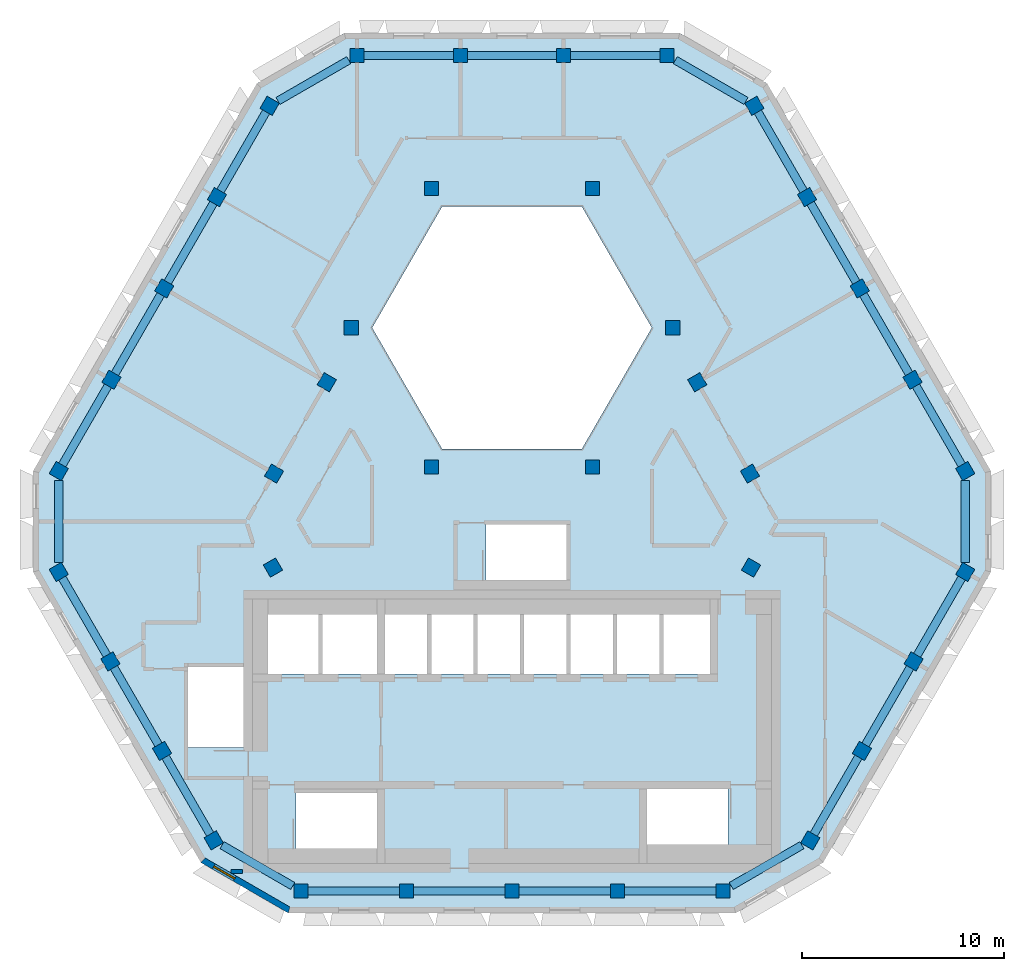
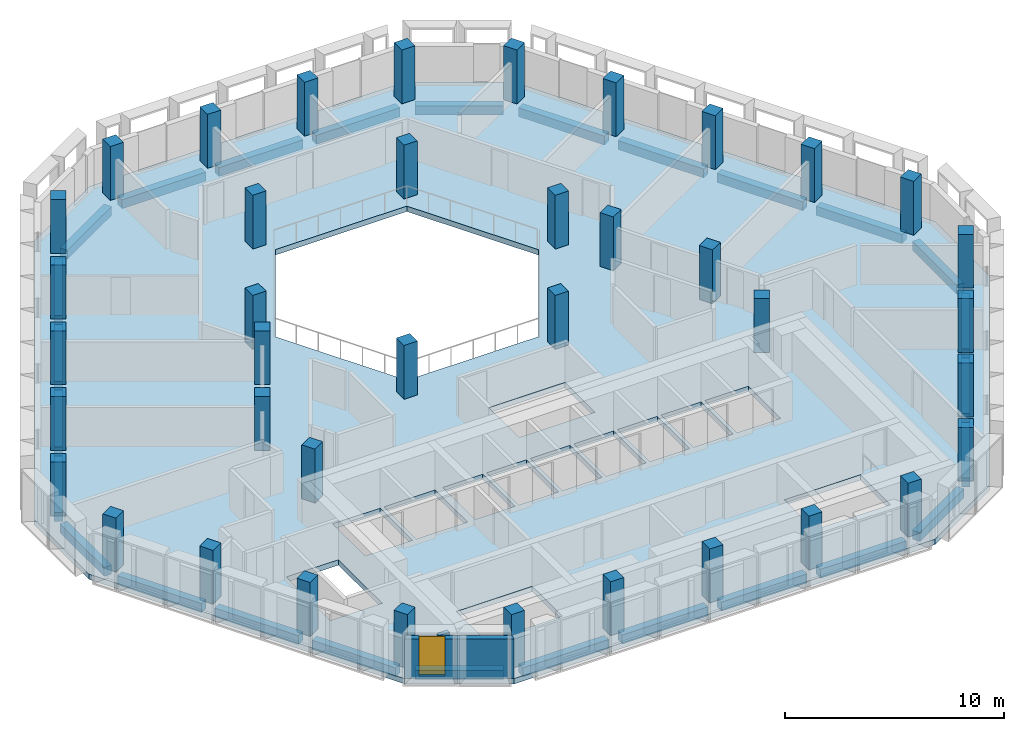
# One storey, part 1 of 7: 39 columns, 27 beams, 2 walls, 1 slab, 1 window, 1 opening.
"""IFC4 building model written with IfcOpenShell, lengths in metres."""

from ifc_helpers import new_model, si_unit, direction, frame, frame_2d, origin, origin_2d, place, context, subcontext, project, spatial, polyline, rectangle, outline, extrude, material, layer, layer_set, material_profile, profile_set, type_object, element, fill, save


model = new_model("IFC4")

# Units and contexts
model_context = context("Model", 3, precision=1e-05, world=origin(), true_north=direction((0.0, 1.0)))
body_context = subcontext(model_context, "Body", "Model", "MODEL_VIEW")
ifc_project = project(units=[si_unit("LENGTHUNIT", "METRE"), si_unit("AREAUNIT", "SQUARE_METRE"), si_unit("VOLUMEUNIT", "CUBIC_METRE"), si_unit("PLANEANGLEUNIT", "RADIAN"), si_unit("MASSUNIT", "GRAM", prefix="KILO")], contexts=[model_context])

# Site, building, storey
site_placement = place(None, origin())
site = spatial("IfcSite", under=ifc_project, at=site_placement, CompositionType="ELEMENT")
building_placement = place(site_placement, origin())
building = spatial("IfcBuilding", under=site, at=building_placement, Name="Beryl Residences", CompositionType="ELEMENT")
storey_placement = place(building_placement, frame((0.0, 0.0, 241.800048828125)))
storey = spatial("IfcBuildingStorey", under=building, at=storey_placement, Name="L75", CompositionType="ELEMENT", Elevation=241.800048828125)

# Columns
ifc_material_1 = material(Name="Concrete C50/60", Category="concrete")
ifc_material_profile_1 = material_profile(ifc_material_1, rectangle(XDim=0.699951171875, YDim=0.699951171875, at=origin_2d()))
ifc_profile_set_1 = profile_set([ifc_material_profile_1], Name="Concrete C50/60")
column_type_1 = type_object("IfcColumnType", Name="C5 tube column 700 x 700 C50/60", PredefinedType="COLUMN", material=ifc_profile_set_1)
for number, where, z_axis, x_axis, name in (
    (1, (7.678955078125, 21.5, 0.0), (0.0, 0.0, 1.0), (-1.0, 0.0, 0.0), "C5-N1 L75"),
    (2, (2.56005859375, 21.5, 0.0), (0.0, 0.0, 1.0), (-1.0, 0.0, 0.0), "C5-N2 L75"),
    (3, (-2.55908203125, 21.5, 0.0), (0.0, 0.0, 1.0), (-1.0, 0.0, 0.0), "C5-N3 L75"),
    (4, (-7.677978515625, 21.5, 0.0), (0.0, 0.0, 1.0), (-1.0, 0.0, 0.0), "C5-N4 L75"),
    (5, (-12.009033203125, 19.0, 0.0), (0.0, 0.0, 1.0), (-0.499969769706, -0.866042856549, 0.0), "C5-NW1 L75"),
    (6, (-14.62109375, 14.47509765625, 0.0), (0.0, 0.0, 1.0), (-0.499969769706, -0.866042856549, 0.0), "C5-NW2 L75"),
    (7, (-17.23291015625, 9.949951171875, 0.0), (0.0, 0.0, 1.0), (-0.499969769706, -0.866042856549, 0.0), "C5-NW3 L75"),
    (8, (-19.845947265625, 5.425048828125, 0.0), (0.0, 0.0, 1.0), (-0.499969769706, -0.866042856549, 0.0), "C5-NW4 L75"),
    (9, (-22.4580078125, 0.89990234375, 0.0), (0.0, 0.0, 1.0), (-0.499969769706, -0.866042856549, 0.0), "C5-NW5 L75"),
    (10, (-22.458984375, -4.10009765625, 0.0), (0.0, 0.0, 1.0), (0.499984884929, -0.866034130299, 0.0), "C5-SW1 L75"),
    (11, (-19.89892578125, -8.532958984375, 0.0), (0.0, 0.0, 1.0), (0.499984884929, -0.866034130299, 0.0), "C5-SW2 L75"),
    (12, (-17.340087890625, -12.966064453125, 0.0), (0.0, 0.0, 1.0), (0.499984884929, -0.866034130299, 0.0), "C5-SW3 L75"),
    (13, (-14.781005859375, -17.39892578125, 0.0), (0.0, 0.0, 1.0), (0.499984884929, -0.866034130299, 0.0), "C5-SW4 L75"),
    (14, (-10.449951171875, -19.89990234375, 0.0), (0.0, 0.0, 1.0), (1.0, 0.0, 0.0), "C5-S1 L75"),
    (15, (-5.22509765625, -19.89990234375, 0.0), (0.0, 0.0, 1.0), (1.0, 0.0, 0.0), "C5-S2 L75"),
    (16, (0.0, -19.89990234375, 0.0), (0.0, 0.0, 1.0), (1.0, 0.0, 0.0), "C5-S3 L75"),
    (17, (5.22509765625, -19.89990234375, 0.0), (0.0, 0.0, 1.0), (1.0, 0.0, 0.0), "C5-S4 L75"),
    (18, (10.449951171875, -19.89990234375, 0.0), (0.0, 0.0, 1.0), (1.0, 0.0, 0.0), "C5-S5 L75"),
    (19, (14.780029296875, -17.39990234375, 0.0), (0.0, 0.0, 1.0), (0.499984884929, 0.866034130299, 0.0), "C5-SE1 L75"),
    (20, (17.339111328125, -12.967041015625, 0.0), (0.0, 0.0, 1.0), (0.499984884929, 0.866034130299, 0.0), "C5-SE2 L75"),
    (21, (19.89892578125, -8.533935546875, 0.0), (0.0, 0.0, 1.0), (0.499984884929, 0.866034130299, 0.0), "C5-SE3 L75"),
    (22, (22.4580078125, -4.10107421875, 0.0), (0.0, 0.0, 1.0), (0.499984884929, 0.866034130299, 0.0), "C5-SE4 L75"),
    (23, (22.4580078125, 0.89990234375, 0.0), (0.0, 0.0, 1.0), (-0.499969769706, 0.866042856549, 0.0), "C5-NE1 L75"),
    (24, (19.845947265625, 5.425048828125, 0.0), (0.0, 0.0, 1.0), (-0.499969769706, 0.866042856549, 0.0), "C5-NE2 L75"),
    (25, (17.23291015625, 9.949951171875, 0.0), (0.0, 0.0, 1.0), (-0.499969769706, 0.866042856549, 0.0), "C5-NE3 L75"),
    (26, (14.62109375, 14.47509765625, 0.0), (0.0, 0.0, 1.0), (-0.499969769706, 0.866042856549, 0.0), "C5-NE4 L75"),
    (27, (12.009033203125, 19.0, 0.0), (0.0, 0.0, 1.0), (-0.499969769706, 0.866042856549, 0.0), "C5-NE5 L75"),
):
    element("IfcColumn", number, at=place(storey_placement, frame(where, z_axis=z_axis, x_axis=x_axis)), inside=storey, type_object=column_type_1, Name=name, PredefinedType="COLUMN", context=body_context, shape_type="SweptSolid", body=[
        extrude(rectangle(XDim=0.699951171875, YDim=0.699951171875, at=origin_2d()), origin(), (0.0, 0.0, 1.0), 3.0),
    ])
ifc_material_2 = material(Name="Concrete C50/60", Category="concrete")
ifc_material_profile_2 = material_profile(ifc_material_2, rectangle(XDim=0.699951171875, YDim=0.699951171875, at=origin_2d()))
ifc_profile_set_2 = profile_set([ifc_material_profile_2], Name="Concrete C50/60")
column_type_2 = type_object("IfcColumnType", Name="IC5 interior column 700 x 700 C50/60", PredefinedType="COLUMN", material=ifc_profile_set_2)
for number, where, z_axis, x_axis, name in (
    (28, (-11.844970703125, -3.883056640625, 0.0), (0.0, 0.0, 1.0), (0.499984884929, -0.866034130299, 0.0), "IC5-M01 L75"),
    (29, (11.844970703125, -3.884033203125, 0.0), (0.0, 0.0, 1.0), (0.499984884929, 0.866034130299, 0.0), "IC5-M02 L75"),
    (30, (11.7919921875, 0.77490234375, 0.0), (0.0, 0.0, 1.0), (-0.499969769706, 0.866042856549, 0.0), "IC5-M03 L75"),
    (31, (3.98388671875, 1.10009765625, 0.0), (0.0, 0.0, 1.0), (1.0, 0.0, 0.0), "IC5-A04 L75"),
    (32, (9.178955078125, 5.300048828125, 0.0), (0.0, 0.0, 1.0), (-0.499969769706, 0.866042856549, 0.0), "IC5-M05 L75"),
    (33, (7.967041015625, 8.0, 0.0), (0.0, 0.0, 1.0), (1.0, 0.0, 0.0), "IC5-A06 L75"),
    (34, (3.98388671875, 14.89990234375, 0.0), (0.0, 0.0, 1.0), (1.0, 0.0, 0.0), "IC5-A07 L75"),
    (35, (-3.98388671875, 14.89990234375, 0.0), (0.0, 0.0, 1.0), (1.0, 0.0, 0.0), "IC5-A08 L75"),
    (36, (-7.967041015625, 8.0, 0.0), (0.0, 0.0, 1.0), (1.0, 0.0, 0.0), "IC5-A09 L75"),
    (37, (-9.178955078125, 5.300048828125, 0.0), (0.0, 0.0, 1.0), (-0.499969769706, -0.866042856549, 0.0), "IC5-M10 L75"),
    (38, (-3.98388671875, 1.10009765625, 0.0), (0.0, 0.0, 1.0), (1.0, 0.0, 0.0), "IC5-A11 L75"),
    (39, (-11.7919921875, 0.77490234375, 0.0), (0.0, 0.0, 1.0), (-0.499969769706, -0.866042856549, 0.0), "IC5-M12 L75"),
):
    element("IfcColumn", number, at=place(storey_placement, frame(where, z_axis=z_axis, x_axis=x_axis)), inside=storey, type_object=column_type_2, Name=name, PredefinedType="COLUMN", context=body_context, shape_type="SweptSolid", body=[
        extrude(rectangle(XDim=0.699951171875, YDim=0.699951171875, at=origin_2d()), origin(), (0.0, 0.0, 1.0), 3.0),
    ])

# Beams
ifc_material_3 = material(Name="Concrete C50/60", Category="concrete")
ifc_material_profile_3 = material_profile(ifc_material_3, rectangle(XDim=0.39990234375, YDim=0.5, at=origin_2d()))
ifc_profile_set_3 = profile_set([ifc_material_profile_3], Name="Concrete C50/60")
beam_type = type_object("IfcBeamType", Name="SB5 spandrel beam 400 x 500 C50/60", PredefinedType="SPANDREL", material=ifc_profile_set_3)
beam_1_placement = place(storey_placement, frame((7.3291015625, 21.5, -0.550048828125), z_axis=(-1.0, 0.0, 0.0), x_axis=(0.0, -1.0, 0.0)))
element("IfcBeam", 40, at=beam_1_placement, inside=storey, type_object=beam_type, Name="SB5 L75 N-0", PredefinedType="SPANDREL", context=body_context, shape_type="SweptSolid", body=[
    extrude(rectangle(XDim=0.39990234375, YDim=0.5, at=origin_2d()), origin(), (0.0, 0.0, 1.0), 4.419189453125),
])
for number, where, z_axis, x_axis, name in (
    (41, (2.2099609375, 21.5, -0.550048828125), (-1.0, 0.0, 0.0), (0.0, -1.0, 0.0), "SB5 L75 N-1"),
    (42, (-2.908935546875, 21.5, -0.550048828125), (-1.0, 0.0, 0.0), (0.0, -1.0, 0.0), "SB5 L75 N-2"),
):
    element("IfcBeam", number, at=place(storey_placement, frame(where, z_axis=z_axis, x_axis=x_axis)), inside=storey, type_object=beam_type, Name=name, PredefinedType="SPANDREL", context=body_context, shape_type="SweptSolid", body=[
        extrude(rectangle(XDim=0.39990234375, YDim=0.5, at=origin_2d()), origin(), (0.0, 0.0, 1.0), 4.4189453125),
    ])
beam_2_placement = place(storey_placement, frame((-8.092041015625, 21.260986328125, -0.550048828125), z_axis=(-0.866073013527, -0.499917528438, 0.0), x_axis=(0.499917528438, -0.866073013527, 0.0)))
element("IfcBeam", 43, at=beam_2_placement, inside=storey, type_object=beam_type, Name="SB5 L75 N-3", PredefinedType="SPANDREL", context=body_context, shape_type="SweptSolid", body=[
    extrude(rectangle(XDim=0.39990234375, YDim=0.5, at=origin_2d()), origin(), (0.0, 0.0, 1.0), 4.044677734375),
])
beam_3_placement = place(storey_placement, frame((-12.18408203125, 18.697021484375, -0.550048828125), z_axis=(-0.499893710643, -0.866086761277, 0.0), x_axis=(0.866086761277, -0.499893710643, 0.0)))
element("IfcBeam", 44, at=beam_3_placement, inside=storey, type_object=beam_type, Name="SB5 L75 NW-0", PredefinedType="SPANDREL", context=body_context, shape_type="SweptSolid", body=[
    extrude(rectangle(XDim=0.39990234375, YDim=0.5, at=origin_2d()), origin(), (0.0, 0.0, 1.0), 4.52490234375),
])
beam_4_placement = place(storey_placement, frame((-14.7958984375, 14.172119140625, -0.550048828125), z_axis=(-0.499910821401, -0.866076884951, 0.0), x_axis=(0.866076884951, -0.499910821401, 0.0)))
element("IfcBeam", 45, at=beam_4_placement, inside=storey, type_object=beam_type, Name="SB5 L75 NW-1", PredefinedType="SPANDREL", context=body_context, shape_type="SweptSolid", body=[
    extrude(rectangle(XDim=0.39990234375, YDim=0.5, at=origin_2d()), origin(), (0.0, 0.0, 1.0), 4.525146484375),
])
beam_5_placement = place(storey_placement, frame((-17.407958984375, 9.64697265625, -0.550048828125), z_axis=(-0.500055572588, -0.865993316558, 0.0), x_axis=(0.865993316558, -0.500055572588, 0.0)))
element("IfcBeam", 46, at=beam_5_placement, inside=storey, type_object=beam_type, Name="SB5 L75 NW-2", PredefinedType="SPANDREL", context=body_context, shape_type="SweptSolid", body=[
    extrude(rectangle(XDim=0.39990234375, YDim=0.5, at=origin_2d()), origin(), (0.0, 0.0, 1.0), 4.525390625),
])
beam_6_placement = place(storey_placement, frame((-20.02099609375, 5.1220703125, -0.550048828125), z_axis=(-0.499870351634, -0.866100243365, 0.0), x_axis=(0.866100243365, -0.499870351634, 0.0)))
element("IfcBeam", 47, at=beam_6_placement, inside=storey, type_object=beam_type, Name="SB5 L75 NW-3", PredefinedType="SPANDREL", context=body_context, shape_type="SweptSolid", body=[
    extrude(rectangle(XDim=0.39990234375, YDim=0.5, at=origin_2d()), origin(), (0.0, 0.0, 1.0), 4.525146484375),
])
beam_7_placement = place(storey_placement, frame((-22.4580078125, 0.422119140625, -0.550048828125), z_axis=(-0.000241472978, -0.999999970845, 0.0), x_axis=(0.999999970845, -0.000241472978, 0.0)))
element("IfcBeam", 48, at=beam_7_placement, inside=storey, type_object=beam_type, Name="SB5 L75 NW-4", PredefinedType="SPANDREL", context=body_context, shape_type="SweptSolid", body=[
    extrude(rectangle(XDim=0.39990234375, YDim=0.5, at=origin_2d()), origin(), (0.0, 0.0, 1.0), 4.044189453125),
])
beam_8_placement = place(storey_placement, frame((-22.283935546875, -4.403076171875, -0.550048828125), z_axis=(0.500084296963, -0.86597672944, 0.0), x_axis=(0.86597672944, 0.500084296963, 0.0)))
element("IfcBeam", 49, at=beam_8_placement, inside=storey, type_object=beam_type, Name="SB5 L75 SW-0", PredefinedType="SPANDREL", context=body_context, shape_type="SweptSolid", body=[
    extrude(rectangle(XDim=0.39990234375, YDim=0.5, at=origin_2d()), origin(), (0.0, 0.0, 1.0), 4.419189453125),
])
beam_9_placement = place(storey_placement, frame((-19.72412109375, -8.8359375, -0.550048828125), z_axis=(0.49993607075, -0.866062310208, 0.0), x_axis=(0.866062310208, 0.49993607075, 0.0)))
element("IfcBeam", 50, at=beam_9_placement, inside=storey, type_object=beam_type, Name="SB5 L75 SW-1", PredefinedType="SPANDREL", context=body_context, shape_type="SweptSolid", body=[
    extrude(rectangle(XDim=0.39990234375, YDim=0.5, at=origin_2d()), origin(), (0.0, 0.0, 1.0), 4.4189453125),
])
beam_10_placement = place(storey_placement, frame((-17.1650390625, -13.26904296875, -0.550048828125), z_axis=(0.499918550948, -0.86607242331, 0.0), x_axis=(0.86607242331, 0.499918550948, 0.0)))
element("IfcBeam", 51, at=beam_10_placement, inside=storey, type_object=beam_type, Name="SB5 L75 SW-2", PredefinedType="SPANDREL", context=body_context, shape_type="SweptSolid", body=[
    extrude(rectangle(XDim=0.39990234375, YDim=0.5, at=origin_2d()), origin(), (0.0, 0.0, 1.0), 4.418701171875),
])
beam_11_placement = place(storey_placement, frame((-14.366943359375, -17.637939453125, -0.550048828125), z_axis=(0.865968468779, -0.500098601359, 0.0), x_axis=(0.500098601359, 0.865968468779, 0.0)))
element("IfcBeam", 52, at=beam_11_placement, inside=storey, type_object=beam_type, Name="SB5 L75 SW-3", PredefinedType="SPANDREL", context=body_context, shape_type="SweptSolid", body=[
    extrude(rectangle(XDim=0.39990234375, YDim=0.5, at=origin_2d()), origin(), (0.0, 0.0, 1.0), 4.045166015625),
])
beam_12_placement = place(storey_placement, frame((-10.10009765625, -19.89990234375, -0.550048828125), z_axis=(1.0, 0.0, 0.0), x_axis=(0.0, 1.0, 0.0)))
element("IfcBeam", 53, at=beam_12_placement, inside=storey, type_object=beam_type, Name="SB5 L75 S-0", PredefinedType="SPANDREL", context=body_context, shape_type="SweptSolid", body=[
    extrude(rectangle(XDim=0.39990234375, YDim=0.5, at=origin_2d()), origin(), (0.0, 0.0, 1.0), 4.525146484375),
])
for number, where, z_axis, x_axis, name in (
    (54, (-4.875, -19.89990234375, -0.550048828125), (1.0, 0.0, 0.0), (0.0, 1.0, 0.0), "SB5 L75 S-1"),
    (55, (0.35009765625, -19.89990234375, -0.550048828125), (1.0, 0.0, 0.0), (0.0, 1.0, 0.0), "SB5 L75 S-2"),
):
    element("IfcBeam", number, at=place(storey_placement, frame(where, z_axis=z_axis, x_axis=x_axis)), inside=storey, type_object=beam_type, Name=name, PredefinedType="SPANDREL", context=body_context, shape_type="SweptSolid", body=[
        extrude(rectangle(XDim=0.39990234375, YDim=0.5, at=origin_2d()), origin(), (0.0, 0.0, 1.0), 4.52490234375),
    ])
beam_13_placement = place(storey_placement, frame((5.574951171875, -19.89990234375, -0.550048828125), z_axis=(1.0, 0.0, 0.0), x_axis=(0.0, 1.0, 0.0)))
element("IfcBeam", 56, at=beam_13_placement, inside=storey, type_object=beam_type, Name="SB5 L75 S-3", PredefinedType="SPANDREL", context=body_context, shape_type="SweptSolid", body=[
    extrude(rectangle(XDim=0.39990234375, YDim=0.5, at=origin_2d()), origin(), (0.0, 0.0, 1.0), 4.525146484375),
])
beam_14_placement = place(storey_placement, frame((10.864013671875, -19.660888671875, -0.550048828125), z_axis=(0.866012652573, 0.500022085096, 0.0), x_axis=(-0.500022085096, 0.866012652573, 0.0)))
element("IfcBeam", 57, at=beam_14_placement, inside=storey, type_object=beam_type, Name="SB5 L75 S-4", PredefinedType="SPANDREL", context=body_context, shape_type="SweptSolid", body=[
    extrude(rectangle(XDim=0.39990234375, YDim=0.5, at=origin_2d()), origin(), (0.0, 0.0, 1.0), 4.043701171875),
])
beam_15_placement = place(storey_placement, frame((14.955078125, -17.096923828125, -0.550048828125), z_axis=(0.499918550948, 0.86607242331, 0.0), x_axis=(-0.86607242331, 0.499918550948, 0.0)))
element("IfcBeam", 58, at=beam_15_placement, inside=storey, type_object=beam_type, Name="SB5 L75 SE-0", PredefinedType="SPANDREL", context=body_context, shape_type="SweptSolid", body=[
    extrude(rectangle(XDim=0.39990234375, YDim=0.5, at=origin_2d()), origin(), (0.0, 0.0, 1.0), 4.418701171875),
])
beam_16_placement = place(storey_placement, frame((17.513916015625, -12.6640625, -0.550048828125), z_axis=(0.500101800387, 0.865966621326, 0.0), x_axis=(-0.865966621326, 0.500101800387, 0.0)))
element("IfcBeam", 59, at=beam_16_placement, inside=storey, type_object=beam_type, Name="SB5 L75 SE-1", PredefinedType="SPANDREL", context=body_context, shape_type="SweptSolid", body=[
    extrude(rectangle(XDim=0.39990234375, YDim=0.5, at=origin_2d()), origin(), (0.0, 0.0, 1.0), 4.41943359375),
])
beam_17_placement = place(storey_placement, frame((20.073974609375, -8.23095703125, -0.550048828125), z_axis=(0.499918550948, 0.86607242331, 0.0), x_axis=(-0.86607242331, 0.499918550948, 0.0)))
element("IfcBeam", 60, at=beam_17_placement, inside=storey, type_object=beam_type, Name="SB5 L75 SE-2", PredefinedType="SPANDREL", context=body_context, shape_type="SweptSolid", body=[
    extrude(rectangle(XDim=0.39990234375, YDim=0.5, at=origin_2d()), origin(), (0.0, 0.0, 1.0), 4.418701171875),
])
beam_18_placement = place(storey_placement, frame((22.4580078125, -3.623046875, -0.550048828125), z_axis=(0.0, 1.0, 0.0), x_axis=(-1.0, 0.0, 0.0)))
element("IfcBeam", 61, at=beam_18_placement, inside=storey, type_object=beam_type, Name="SB5 L75 SE-3", PredefinedType="SPANDREL", context=body_context, shape_type="SweptSolid", body=[
    extrude(rectangle(XDim=0.39990234375, YDim=0.5, at=origin_2d()), origin(), (0.0, 0.0, 1.0), 4.045166015625),
])
beam_19_placement = place(storey_placement, frame((22.282958984375, 1.202880859375, -0.550048828125), z_axis=(-0.499870351634, 0.866100243365, 0.0), x_axis=(-0.866100243365, -0.499870351634, 0.0)))
element("IfcBeam", 62, at=beam_19_placement, inside=storey, type_object=beam_type, Name="SB5 L75 NE-0", PredefinedType="SPANDREL", context=body_context, shape_type="SweptSolid", body=[
    extrude(rectangle(XDim=0.39990234375, YDim=0.5, at=origin_2d()), origin(), (0.0, 0.0, 1.0), 4.525146484375),
])
beam_20_placement = place(storey_placement, frame((19.6708984375, 5.72802734375, -0.550048828125), z_axis=(-0.500055572588, 0.865993316558, 0.0), x_axis=(-0.865993316558, -0.500055572588, 0.0)))
element("IfcBeam", 63, at=beam_20_placement, inside=storey, type_object=beam_type, Name="SB5 L75 NE-1", PredefinedType="SPANDREL", context=body_context, shape_type="SweptSolid", body=[
    extrude(rectangle(XDim=0.39990234375, YDim=0.5, at=origin_2d()), origin(), (0.0, 0.0, 1.0), 4.525390625),
])
beam_21_placement = place(storey_placement, frame((17.05810546875, 10.2529296875, -0.550048828125), z_axis=(-0.499910821401, 0.866076884951, 0.0), x_axis=(-0.866076884951, -0.499910821401, 0.0)))
element("IfcBeam", 64, at=beam_21_placement, inside=storey, type_object=beam_type, Name="SB5 L75 NE-2", PredefinedType="SPANDREL", context=body_context, shape_type="SweptSolid", body=[
    extrude(rectangle(XDim=0.39990234375, YDim=0.5, at=origin_2d()), origin(), (0.0, 0.0, 1.0), 4.525146484375),
])
beam_22_placement = place(storey_placement, frame((14.446044921875, 14.778076171875, -0.550048828125), z_axis=(-0.499893710643, 0.866086761277, 0.0), x_axis=(-0.866086761277, -0.499893710643, 0.0)))
element("IfcBeam", 65, at=beam_22_placement, inside=storey, type_object=beam_type, Name="SB5 L75 NE-3", PredefinedType="SPANDREL", context=body_context, shape_type="SweptSolid", body=[
    extrude(rectangle(XDim=0.39990234375, YDim=0.5, at=origin_2d()), origin(), (0.0, 0.0, 1.0), 4.52490234375),
])
beam_23_placement = place(storey_placement, frame((11.594970703125, 19.239013671875, -0.550048828125), z_axis=(-0.866012652573, 0.500022085096, 0.0), x_axis=(-0.500022085096, -0.866012652573, 0.0)))
element("IfcBeam", 66, at=beam_23_placement, inside=storey, type_object=beam_type, Name="SB5 L75 NE-4", PredefinedType="SPANDREL", context=body_context, shape_type="SweptSolid", body=[
    extrude(rectangle(XDim=0.39990234375, YDim=0.5, at=origin_2d()), origin(), (0.0, 0.0, 1.0), 4.043701171875),
])

# Slab
ifc_material_4 = material(Name="Concrete C40/50", Category="concrete")
ifc_layer_1 = layer(ifc_material_4, 0.300048828125)
ifc_layer_set_1 = layer_set([ifc_layer_1], Name="SL7 PT floor slab 300 mm C40/50")
slab_type = type_object("IfcSlabType", Name="SL7 PT floor slab 300 mm C40/50", PredefinedType="FLOOR", material=ifc_layer_set_1)
slab_placement = place(storey_placement, frame((0.0, 0.0, -0.300048828125)))
element("IfcSlab", 67, at=slab_placement, inside=storey, type_object=slab_type, Name="L75 slab 1", PredefinedType="FLOOR", context=body_context, shape_type="SweptSolid", body=[
    extrude(outline(polyline([(23.72900390625, -4.10009765625), (15.4150390625, -18.5), (11.0849609375, -21.0), (-11.0849609375, -21.0), (-15.4150390625, -18.5), (-23.72900390625, -4.10009765625), (-23.72900390625, 0.89990234375), (-12.64404296875, 20.10009765625), (-8.31396484375, 22.60009765625), (8.31396484375, 22.60009765625), (12.64404296875, 20.10009765625), (23.72900390625, 0.89990234375), (23.72900390625, -4.10009765625)]), holes=[polyline([(21.97998046875, 1.028076171875), (22.330078125, 0.422119140625), (22.93603515625, 0.77197265625), (22.5859375, 1.3779296875), (21.97998046875, 1.028076171875)]), polyline([(21.97998046875, -4.22900390625), (22.5859375, -4.5791015625), (22.93603515625, -3.972900390625), (22.330078125, -3.623046875), (21.97998046875, -4.22900390625)]), polyline([(19.77099609375, -8.055908203125), (19.4208984375, -8.662109375), (20.027099609375, -9.011962890625), (20.376953125, -8.406005859375), (19.77099609375, -8.055908203125)]), polyline([(19.367919921875, 5.552978515625), (19.718017578125, 4.947021484375), (20.323974609375, 5.297119140625), (19.97412109375, 5.903076171875), (19.367919921875, 5.552978515625)]), polyline([(17.2109375, -12.489013671875), (16.861083984375, -13.094970703125), (17.467041015625, -13.445068359375), (17.81689453125, -12.839111328125), (17.2109375, -12.489013671875)]), polyline([(17.361083984375, 10.427978515625), (16.7548828125, 10.077880859375), (17.10498046875, 9.471923828125), (17.7109375, 9.822021484375), (17.361083984375, 10.427978515625)]), polyline([(15.258056640625, -17.27197265625), (14.652099609375, -16.922119140625), (14.302001953125, -17.528076171875), (14.907958984375, -17.8779296875), (15.258056640625, -17.27197265625)]), polyline([(14.14306640625, 14.60302734375), (14.492919921875, 13.9970703125), (15.09912109375, 14.346923828125), (14.7490234375, 14.952880859375), (14.14306640625, 14.60302734375)]), polyline([(11.531005859375, 19.1279296875), (11.881103515625, 18.52197265625), (12.487060546875, 18.8720703125), (12.136962890625, 19.47802734375), (11.531005859375, 19.1279296875)]), polyline([(11.717041015625, -3.406005859375), (11.366943359375, -4.011962890625), (11.972900390625, -4.362060546875), (12.322998046875, -3.756103515625), (11.717041015625, -3.406005859375)]), polyline([(11.919921875, 1.2529296875), (11.31396484375, 0.903076171875), (11.6640625, 0.297119140625), (12.27001953125, 0.64697265625), (11.919921875, 1.2529296875)]), polyline([(10.800048828125, -19.550048828125), (10.10009765625, -19.550048828125), (10.10009765625, -20.25), (10.800048828125, -20.25), (10.800048828125, -19.550048828125)]), polyline([(6.699951171875, -14.85009765625), (6.699951171875, -17.60009765625), (10.699951171875, -17.60009765625), (10.699951171875, -14.85009765625), (6.699951171875, -14.85009765625)]), polyline([(7.5, -9.14990234375), (9.800048828125, -9.14990234375), (9.800048828125, -6.199951171875), (7.5, -6.199951171875), (7.5, -9.14990234375)]), polyline([(8.700927734375, 5.427978515625), (9.051025390625, 4.822021484375), (9.656982421875, 5.172119140625), (9.306884765625, 5.778076171875), (8.700927734375, 5.427978515625)]), polyline([(8.31689453125, 7.64990234375), (8.31689453125, 8.35009765625), (7.616943359375, 8.35009765625), (7.616943359375, 7.64990234375), (8.31689453125, 7.64990234375)]), polyline([(7.3291015625, 21.85009765625), (7.3291015625, 21.14990234375), (8.029052734375, 21.14990234375), (8.029052734375, 21.85009765625), (7.3291015625, 21.85009765625)]), polyline([(5.199951171875, -9.14990234375), (7.300048828125, -9.14990234375), (7.300048828125, -6.199951171875), (5.199951171875, -6.199951171875), (5.199951171875, -9.14990234375)]), polyline([(3.464111328125, 14.0), (-3.464111328125, 14.0), (-6.92822265625, 8.0), (-3.464111328125, 2.0), (3.464111328125, 2.0), (6.92822265625, 8.0), (3.464111328125, 14.0)]), polyline([(4.875, -19.550048828125), (4.875, -20.25), (5.574951171875, -20.25), (5.574951171875, -19.550048828125), (4.875, -19.550048828125)]), polyline([(2.89990234375, -9.14990234375), (5.0, -9.14990234375), (5.0, -6.199951171875), (2.89990234375, -6.199951171875), (2.89990234375, -9.14990234375)]), polyline([(4.333984375, 15.25), (3.634033203125, 15.25), (3.634033203125, 14.550048828125), (4.333984375, 14.550048828125), (4.333984375, 15.25)]), polyline([(4.333984375, 1.449951171875), (3.634033203125, 1.449951171875), (3.634033203125, 0.75), (4.333984375, 0.75), (4.333984375, 1.449951171875)]), polyline([(2.2099609375, 21.85009765625), (2.2099609375, 21.14990234375), (2.909912109375, 21.14990234375), (2.909912109375, 21.85009765625), (2.2099609375, 21.85009765625)]), polyline([(2.699951171875, -9.14990234375), (2.699951171875, -6.199951171875), (0.60009765625, -6.199951171875), (0.60009765625, -9.14990234375), (2.699951171875, -9.14990234375)]), polyline([(2.699951171875, -4.5), (2.699951171875, -1.75), (-1.300048828125, -1.75), (-1.300048828125, -4.5), (2.699951171875, -4.5)]), polyline([(0.39990234375, -6.199951171875), (-1.699951171875, -6.199951171875), (-1.699951171875, -9.14990234375), (0.39990234375, -9.14990234375), (0.39990234375, -6.199951171875)]), polyline([(0.35009765625, -19.550048828125), (-0.35009765625, -19.550048828125), (-0.35009765625, -20.25), (0.35009765625, -20.25), (0.35009765625, -19.550048828125)]), polyline([(-4.0, -9.14990234375), (-1.89990234375, -9.14990234375), (-1.89990234375, -6.199951171875), (-4.0, -6.199951171875), (-4.0, -9.14990234375)]), polyline([(-2.908935546875, 21.14990234375), (-2.208984375, 21.14990234375), (-2.208984375, 21.85009765625), (-2.908935546875, 21.85009765625), (-2.908935546875, 21.14990234375)]), polyline([(-3.634033203125, 15.25), (-4.333984375, 15.25), (-4.333984375, 14.550048828125), (-3.634033203125, 14.550048828125), (-3.634033203125, 15.25)]), polyline([(-4.333984375, 1.449951171875), (-4.333984375, 0.75), (-3.634033203125, 0.75), (-3.634033203125, 1.449951171875), (-4.333984375, 1.449951171875)]), polyline([(-6.300048828125, -9.14990234375), (-4.199951171875, -9.14990234375), (-4.199951171875, -6.199951171875), (-6.300048828125, -6.199951171875), (-6.300048828125, -9.14990234375)]), polyline([(-4.875, -19.550048828125), (-5.574951171875, -19.550048828125), (-5.574951171875, -20.25), (-4.875, -20.25), (-4.875, -19.550048828125)]), polyline([(-9.39990234375, -6.199951171875), (-9.39990234375, -9.14990234375), (-6.699951171875, -9.14990234375), (-6.699951171875, -6.199951171875), (-9.39990234375, -6.199951171875)]), polyline([(-10.699951171875, -15.050048828125), (-10.699951171875, -17.800048828125), (-6.699951171875, -17.800048828125), (-6.699951171875, -15.050048828125), (-10.699951171875, -15.050048828125)]), polyline([(-8.028076171875, 21.14990234375), (-7.327880859375, 21.14990234375), (-7.327880859375, 21.85009765625), (-8.028076171875, 21.85009765625), (-8.028076171875, 21.14990234375)]), polyline([(-7.616943359375, 7.64990234375), (-7.616943359375, 8.35009765625), (-8.31689453125, 8.35009765625), (-8.31689453125, 7.64990234375), (-7.616943359375, 7.64990234375)]), polyline([(-9.051025390625, 4.822021484375), (-8.700927734375, 5.427978515625), (-9.306884765625, 5.778076171875), (-9.656982421875, 5.172119140625), (-9.051025390625, 4.822021484375)]), polyline([(-12.10009765625, -9.14990234375), (-9.60009765625, -9.14990234375), (-9.60009765625, -6.199951171875), (-12.10009765625, -6.199951171875), (-12.10009765625, -9.14990234375)]), polyline([(-10.800048828125, -19.550048828125), (-10.800048828125, -20.25), (-10.10009765625, -20.25), (-10.10009765625, -19.550048828125), (-10.800048828125, -19.550048828125)]), polyline([(-12.27001953125, 0.64697265625), (-11.6640625, 0.297119140625), (-11.31396484375, 0.903076171875), (-11.919921875, 1.2529296875), (-12.27001953125, 0.64697265625)]), polyline([(-11.972900390625, -4.361083984375), (-11.366943359375, -4.010986328125), (-11.717041015625, -3.405029296875), (-12.322998046875, -3.7548828125), (-11.972900390625, -4.361083984375)]), polyline([(-12.487060546875, 18.8720703125), (-11.881103515625, 18.52197265625), (-11.531005859375, 19.1279296875), (-12.136962890625, 19.47802734375), (-12.487060546875, 18.8720703125)]), polyline([(-13.300048828125, -8.800048828125), (-16.050048828125, -8.800048828125), (-16.050048828125, -12.800048828125), (-13.300048828125, -12.800048828125), (-13.300048828125, -8.800048828125)]), polyline([(-14.14306640625, 14.60302734375), (-14.7490234375, 14.952880859375), (-15.09912109375, 14.346923828125), (-14.492919921875, 13.9970703125), (-14.14306640625, 14.60302734375)]), polyline([(-14.302978515625, -17.527099609375), (-14.653076171875, -16.9208984375), (-15.259033203125, -17.27099609375), (-14.908935546875, -17.876953125), (-14.302978515625, -17.527099609375)]), polyline([(-17.10498046875, 9.471923828125), (-16.7548828125, 10.077880859375), (-17.361083984375, 10.427978515625), (-17.7109375, 9.822021484375), (-17.10498046875, 9.471923828125)]), polyline([(-17.2119140625, -12.488037109375), (-17.818115234375, -12.837890625), (-17.468017578125, -13.444091796875), (-16.862060546875, -13.093994140625), (-17.2119140625, -12.488037109375)]), polyline([(-19.718017578125, 4.947021484375), (-19.367919921875, 5.552978515625), (-19.97412109375, 5.903076171875), (-20.323974609375, 5.297119140625), (-19.718017578125, 4.947021484375)]), polyline([(-19.4208984375, -8.660888671875), (-19.77099609375, -8.054931640625), (-20.376953125, -8.405029296875), (-20.027099609375, -9.010986328125), (-19.4208984375, -8.660888671875)]), polyline([(-22.330078125, 0.422119140625), (-21.97998046875, 1.028076171875), (-22.5859375, 1.3779296875), (-22.93603515625, 0.77197265625), (-22.330078125, 0.422119140625)]), polyline([(-21.98095703125, -4.22802734375), (-22.3310546875, -3.6220703125), (-22.93701171875, -3.971923828125), (-22.5869140625, -4.577880859375), (-21.98095703125, -4.22802734375)])]), origin(), (0.0, 0.0, 1.0), 0.300048828125),
])

# Wall, opening, window
ifc_material_5 = material(Name="Composite metal panel with mineral wool insulation")
ifc_layer_2 = layer(ifc_material_5, 0.300048828125)
ifc_layer_set_2 = layer_set([ifc_layer_2], Name="ES1 pale metal composite panel wall 300 mm")
wall_type_1 = type_object("IfcWallType", Name="ES1 pale metal composite panel wall 300 mm", PredefinedType="SOLIDWALL", material=ifc_layer_set_2)
wall_1_placement = place(storey_placement, frame((-15.340087890625, -18.3701171875, 0.0), z_axis=(0.0, 0.0, 1.0), x_axis=(0.866022959057, -0.500004234368, 0.0)))
wall_1 = element("IfcWall", 68, at=wall_1_placement, inside=storey, type_object=wall_type_1, Name="ES1 external wall L75 SW-S", PredefinedType="SOLIDWALL", context=body_context, shape_type="SweptSolid", body=[
    extrude(outline(polyline([(0.0, -0.14990234375), (5.0, -0.14990234375), (4.919677734375, 0.14990234375), (0.080322265625, 0.14990234375), (0.0, -0.14990234375)])), origin(), (0.0, 0.0, 1.0), 2.199951171875),
])
opening_placement = place(wall_1_placement, frame((0.64990234375, 0.0, 0.14990234375)))
opening = element("IfcOpeningElement", 69, at=opening_placement, cuts=wall_1, Name="Opening W2", PredefinedType="OPENING", context=body_context, shape_type="SweptSolid", body=[
    extrude(rectangle(XDim=1.199951171875, YDim=2.10009765625, at=frame_2d((0.60009765625, 1.050048828125))), frame((0.0, 0.159912109375, 0.0), z_axis=(0.0, -1.0, 0.0), x_axis=(1.0, 0.0, 0.0)), (0.0, 0.0, 1.0), 0.320068359375),
])
ifc_material_6 = material(Name="Aluminium and clear glass", Category="aluminium")
window_type = type_object("IfcWindowType", Name="W2 chamfer window 1200 x 2100 mm", PartitioningType="SINGLE_PANEL", PredefinedType="WINDOW", material=ifc_material_6)
window_placement = place(opening_placement, origin())
window = element("IfcWindow", 70, at=window_placement, inside=storey, type_object=window_type, Name="W2 window L75 SW-S 1", OverallHeight=2.10009765625, OverallWidth=1.199951171875, PartitioningType="SINGLE_PANEL", PredefinedType="WINDOW", context=body_context, shape_type="SweptSolid", body=[
    extrude(rectangle(XDim=1.199951171875, YDim=2.10009765625, at=frame_2d((0.60009765625, 1.050048828125))), frame((0.0, 0.030029296875, 0.0), z_axis=(0.0, -1.0, 0.0), x_axis=(1.0, 0.0, 0.0)), (0.0, 0.0, 1.0), 0.06005859375),
])
fill(opening, window)

# Wall
ifc_material_7 = material(Name="Acoustic double stud gypsum board wall")
ifc_layer_3 = layer(ifc_material_7, 0.199951171875)
ifc_layer_set_3 = layer_set([ifc_layer_3], Name="PT3 party wall 200 mm acoustic double stud")
wall_type_2 = type_object("IfcWallType", Name="PT3 party wall 200 mm acoustic double stud", PredefinedType="PARTITIONING", material=ifc_layer_set_3)
wall_2_placement = place(storey_placement, frame((-13.9150390625, -18.949951171875, 0.0), z_axis=(0.0, 0.0, 1.0), x_axis=(1.0, 0.0, 0.0)))
element("IfcWall", 71, at=wall_2_placement, inside=storey, type_object=wall_type_2, Name="Wall PT3 L75 008", PredefinedType="PARTITIONING", context=body_context, shape_type="SweptSolid", body=[
    extrude(rectangle(XDim=0.554931640625, YDim=0.199951171875, at=frame_2d((0.27734375, 0.0))), origin(), (0.0, 0.0, 1.0), 2.199951171875),
])

save(model, "model.ifc")
